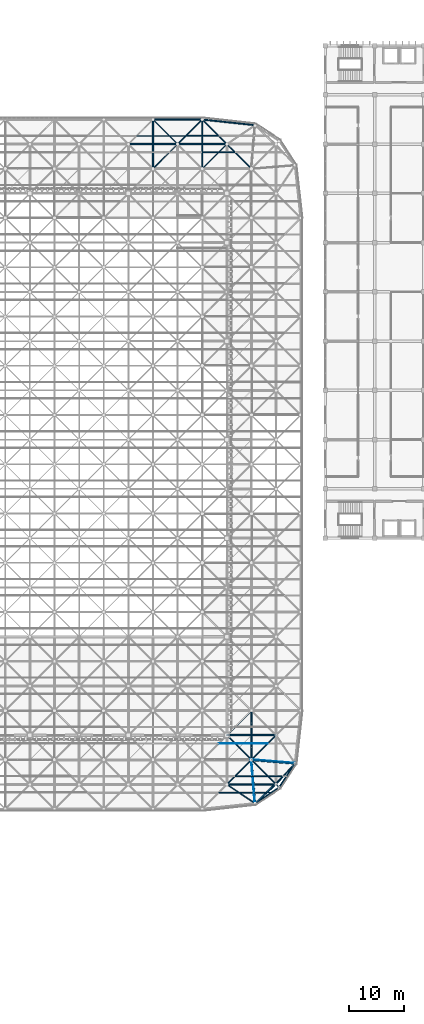
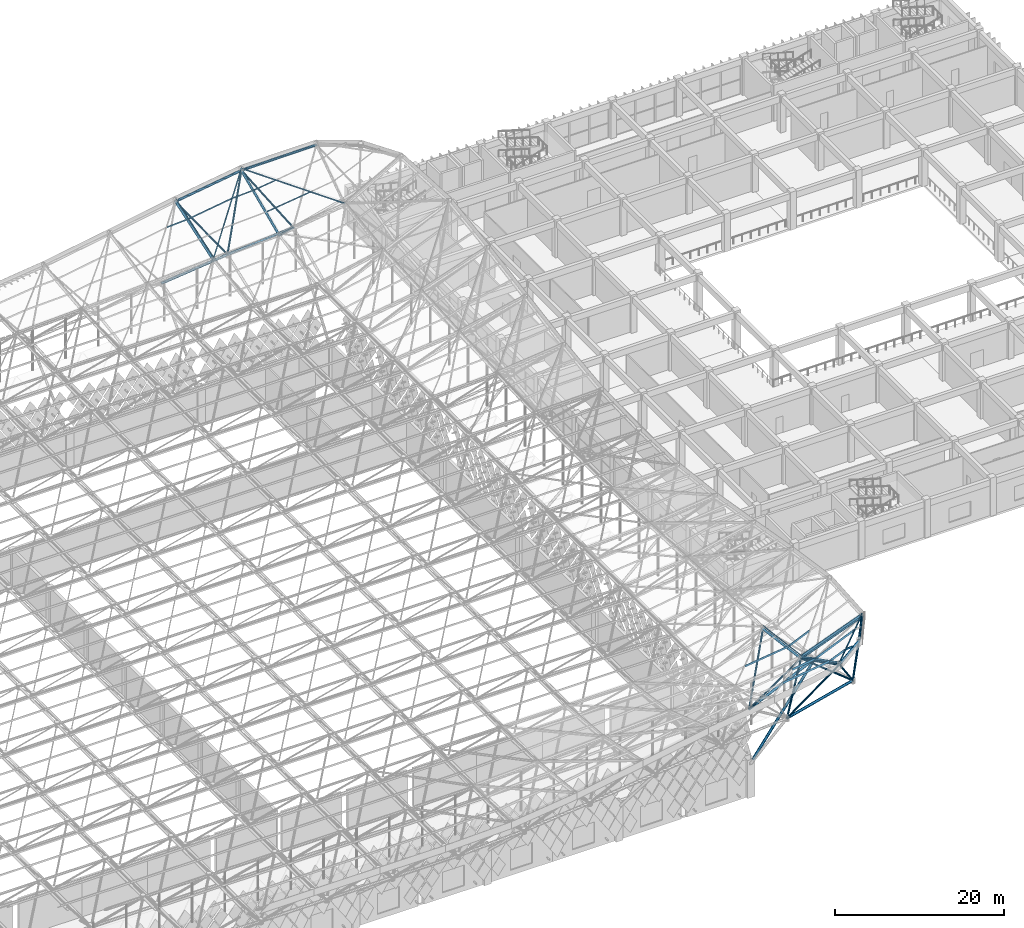
# One storey, part 195 of 437: 47 members.
"""IFC4 building model written with IfcOpenShell, lengths in metres."""

import ifcopenshell
import ifcopenshell.guid

model = None  # the IFC model being written
_history = None  # IfcOwnerHistory: only IFC2X3 demands one
_inside = {}  # id of a spatial element -> (the spatial element, [elements in it])
_under = {}  # id of a project, library or spatial element -> (it, [spatial elements below it])
_declared = {}  # id of a project -> (the project, [libraries it declares])
_typed = {}  # id of a type object -> (the type object, [elements of that type])
_made_of = {}  # id of a material, layer set ... -> (it, [elements and type objects made of it])


def new_model(schema):
    """Start an empty IFC model of exactly this schema.

    Asked for "IFC4X3", IfcOpenShell would pick the latest addendum, in which some entities
    have other attributes; the version numbers below select the first issue.
    IFC2X3 requires an IfcOwnerHistory on every rooted entity: one is made here for all.
    """
    global model, _history
    if schema == "IFC4X3":
        model = ifcopenshell.file(schema_version=(4, 3, 0, 0))
    else:
        model = ifcopenshell.file(schema=schema)
    _inside.clear()
    _under.clear()
    _declared.clear()
    _typed.clear()
    _made_of.clear()
    _history = None
    if model.schema == "IFC2X3":
        org = make("IfcOrganization", Name="unknown")
        user = make(
            "IfcPersonAndOrganization",
            ThePerson=make("IfcPerson", FamilyName="unknown"),
            TheOrganization=org,
        )
        app = make(
            "IfcApplication",
            ApplicationDeveloper=org,
            Version="unknown",
            ApplicationFullName="unknown",
            ApplicationIdentifier="unknown",
        )
        _history = make(
            "IfcOwnerHistory",
            OwningUser=user,
            OwningApplication=app,
            ChangeAction="ADDED",
            CreationDate=0,
        )
    return model


def make(cls, **values):
    """One entity of the class cls with the attributes given. An attribute that is None is left unset."""
    return model.create_entity(
        cls, **{name: value for name, value in values.items() if value is not None}
    )


def rooted(cls, **values):
    """An entity with a GlobalId (a new one), such as an element, a storey or a relation."""
    return make(cls, GlobalId=ifcopenshell.guid.new(), OwnerHistory=_history, **values)


def si_unit(unit_type, name, prefix=None):
    """IfcSIUnit, for example si_unit("LENGTHUNIT", "METRE", prefix="MILLI")."""
    return make("IfcSIUnit", UnitType=unit_type, Prefix=prefix, Name=name)


def assignment(units):
    """IfcUnitAssignment: the units of a project."""
    return None if units is None else make("IfcUnitAssignment", Units=units)


def point(xyz):
    """IfcCartesianPoint."""
    return None if xyz is None else make("IfcCartesianPoint", Coordinates=xyz)


def direction(xyz):
    """IfcDirection."""
    return None if xyz is None else make("IfcDirection", DirectionRatios=xyz)


def frame(location, z_axis=None, x_axis=None):
    """IfcAxis2Placement3D, a coordinate frame: its origin and axes. An axis left out is left unset."""
    return make(
        "IfcAxis2Placement3D",
        Location=point(location),
        Axis=direction(z_axis),
        RefDirection=direction(x_axis),
    )


def frame_2d(location, x_axis=None):
    """IfcAxis2Placement2D, a coordinate frame in the plane: its origin and x axis."""
    return make(
        "IfcAxis2Placement2D", Location=point(location), RefDirection=direction(x_axis)
    )


def origin():
    """The frame at (0, 0, 0) with its axes left unset."""
    return frame((0.0, 0.0, 0.0))


def origin_2d():
    """The frame at (0, 0) in the plane with its x axis left unset."""
    return frame_2d((0.0, 0.0))


def place(relative_to, where):
    """IfcLocalPlacement: puts the frame where relative to a parent placement (None: the world)."""
    return make(
        "IfcLocalPlacement", PlacementRelTo=relative_to, RelativePlacement=where
    )


def context(
    kind, dimensions, precision=None, world=None, true_north=None, identifier=None
):
    """IfcGeometricRepresentationContext, for example the 3D "Model" context."""
    return make(
        "IfcGeometricRepresentationContext",
        ContextIdentifier=identifier,
        ContextType=kind,
        CoordinateSpaceDimension=dimensions,
        Precision=precision,
        WorldCoordinateSystem=world,
        TrueNorth=true_north,
    )


def subcontext(parent, identifier, kind, view, scale=None):
    """IfcGeometricRepresentationSubContext, for example "Body" below "Model"."""
    return make(
        "IfcGeometricRepresentationSubContext",
        ContextIdentifier=identifier,
        ContextType=kind,
        ParentContext=parent,
        TargetScale=scale,
        TargetView=view,
    )


def project(units=None, contexts=None):
    """IfcProject with its units and contexts."""
    return rooted(
        "IfcProject",
        Name="project",
        RepresentationContexts=contexts,
        UnitsInContext=assignment(units),
    )


def spatial(cls, under=None, at=None, **own):
    """A site, building, storey or space (cls), placed at a placement, below another one or the project."""
    s = rooted(cls, ObjectPlacement=at, **own)
    if under is not None:
        _under.setdefault(under.id(), (under, []))[1].append(s)
    return s


def polyline(points):
    """IfcPolyline through the points."""
    return make("IfcPolyline", Points=[point(p) for p in points])


def profile(cls, at=None, kind="AREA", **sizes):
    """A parametric profile (cls). Its sizes go by their IFC names, for example OverallWidth=200.0."""
    return make(cls, ProfileType=kind, Position=at, **sizes)


def hollow_circle(**sizes):
    """IfcCircleHollowProfileDef."""
    return profile("IfcCircleHollowProfileDef", **sizes)


def outline(outer, holes=None, kind="AREA"):
    """IfcArbitraryClosedProfileDef: a profile drawn as a closed curve; with holes, ...WithVoids."""
    if holes is None:
        return make("IfcArbitraryClosedProfileDef", ProfileType=kind, OuterCurve=outer)
    return make(
        "IfcArbitraryProfileDefWithVoids",
        ProfileType=kind,
        OuterCurve=outer,
        InnerCurves=holes,
    )


def extrude(swept, where, along, depth):
    """IfcExtrudedAreaSolid: the profile swept, set in the frame where, extruded along a direction by depth."""
    return make(
        "IfcExtrudedAreaSolid",
        SweptArea=swept,
        Position=where,
        ExtrudedDirection=direction(along),
        Depth=depth,
    )


def shape(context_of_items, identifier, shape_type, items):
    """IfcShapeRepresentation: the items that make up one representation, for example the "Body"."""
    return make(
        "IfcShapeRepresentation",
        ContextOfItems=context_of_items,
        RepresentationIdentifier=identifier,
        RepresentationType=shape_type,
        Items=items,
    )


def material(Name=None, Category=None):
    """IfcMaterial."""
    return make("IfcMaterial", Name=Name, Category=Category)


def material_profile(
    of_material, cross_section, Name=None, Category=None, Priority=None
):
    """IfcMaterialProfile: a cross section and its material."""
    return make(
        "IfcMaterialProfile",
        Name=Name,
        Material=of_material,
        Profile=cross_section,
        Priority=Priority,
        Category=Category,
    )


def profile_set(profiles, Name=None, composite=None):
    """IfcMaterialProfileSet."""
    return make(
        "IfcMaterialProfileSet",
        Name=Name,
        MaterialProfiles=profiles,
        CompositeProfile=composite,
    )


def made_of(thing, what):
    """Note that an element or type object is made of a material, layer set ...; save() writes the relation."""
    if what is not None:
        _made_of.setdefault(what.id(), (what, []))[1].append(thing)
    return thing


def type_object(cls, material=None, **own):
    """A type object (cls), such as IfcWallType, which elements share."""
    return made_of(rooted(cls, **own), material)


def element(
    cls,
    number,
    at=None,
    inside=None,
    cuts=None,
    type_object=None,
    material=None,
    context=None,
    identifier="Body",
    shape_type=None,
    held_by="IfcProductDefinitionShape",
    body=None,
    shapes=None,
    **own,
):
    """One element of the class cls, such as IfcWall. Its Tag is "e" and its number.

    at: its placement. inside: the storey or other place that contains it. cuts: it is an
    opening in that element (IfcRelVoidsElement). A single representation is given by context,
    identifier, shape_type and body (its items); several are given by shapes. held_by: the class
    of the entity that holds the representations. save() writes the other relations.
    """
    e = rooted(cls, Tag="e%d" % number, ObjectPlacement=at, **own)
    if body is not None:
        shapes = [shape(context, identifier, shape_type, body)]
    if shapes is not None:
        e.Representation = make(held_by, Representations=shapes)
    if inside is not None:
        _inside.setdefault(inside.id(), (inside, []))[1].append(e)
    if cuts is not None:
        rooted(
            "IfcRelVoidsElement", RelatingBuildingElement=cuts, RelatedOpeningElement=e
        )
    if type_object is not None:
        _typed.setdefault(type_object.id(), (type_object, []))[1].append(e)
    return made_of(e, material)


def aggregate(whole, parts):
    """IfcRelAggregates: a whole, such as a stair, and the parts it consists of."""
    return rooted("IfcRelAggregates", RelatingObject=whole, RelatedObjects=parts)


def save(model, path):
    """Write the relations noted so far, then the file.

    IfcRelAggregates (storeys below a building ...), IfcRelContainedInSpatialStructure (elements
    in a storey), IfcRelDefinesByType, IfcRelAssociatesMaterial and IfcRelDeclares: one each for
    every whole, place, type object, material and project.
    """
    for whole, parts in _under.values():
        aggregate(whole, parts)
    for where, things in _inside.values():
        rooted(
            "IfcRelContainedInSpatialStructure",
            RelatedElements=things,
            RelatingStructure=where,
        )
    for kind, things in _typed.values():
        rooted("IfcRelDefinesByType", RelatedObjects=things, RelatingType=kind)
    for what, things in _made_of.values():
        rooted("IfcRelAssociatesMaterial", RelatedObjects=things, RelatingMaterial=what)
    for by, libraries in _declared.values():
        rooted("IfcRelDeclares", RelatingContext=by, RelatedDefinitions=libraries)
    model.write(path)


model = new_model("IFC4")

# Units and contexts
model_context = context("Model", 3, precision=1e-05, world=origin(), true_north=direction((0.0, 1.0)))
body_context = subcontext(model_context, "Body", "Model", "MODEL_VIEW")
ifc_project = project(units=[si_unit("LENGTHUNIT", "METRE"), si_unit("AREAUNIT", "SQUARE_METRE"), si_unit("VOLUMEUNIT", "CUBIC_METRE"), si_unit("PLANEANGLEUNIT", "RADIAN"), si_unit("MASSUNIT", "GRAM", prefix="KILO")], contexts=[model_context])

# Site, building, storey
site_placement = place(None, origin())
site = spatial("IfcSite", under=ifc_project, at=site_placement, CompositionType="ELEMENT")
building_placement = place(site_placement, origin())
building = spatial("IfcBuilding", under=site, at=building_placement, Name="Opaline Strait Convention Centre", CompositionType="ELEMENT")
storey_placement = place(building_placement, frame((0.0, 0.0, 11.5)))
storey = spatial("IfcBuildingStorey", under=building, at=storey_placement, Name="L02", CompositionType="ELEMENT", Elevation=11.5)

# Members
ifc_material = material(Name="Steel Q355B", Category="steel")
ifc_material_profile_1 = material_profile(ifc_material, hollow_circle(Radius=0.175537109375, WallThickness=0.01611328125, at=origin_2d()), Name="CHS 351x16")
ifc_profile_set_1 = profile_set([ifc_material_profile_1], Name="Steel Q355B")
member_type_1 = type_object("IfcMemberType", Name="Raking prop CHS 351x16", PredefinedType="BRACE", material=ifc_profile_set_1)
member_1_placement = place(storey_placement, frame((261.51611328125, 54.0, 5.02197265625), z_axis=(0.58919697761, 0.0, 0.807989431599), x_axis=(0.0, 1.0, 0.0)))
element("IfcMember", 1, at=member_1_placement, inside=storey, type_object=member_type_1, Name="Raking prop 261/54 E", PredefinedType="BRACE", context=body_context, shape_type="SweptSolid", body=[
    extrude(hollow_circle(Radius=0.175537109375, WallThickness=0.01611328125, at=origin_2d()), origin(), (0.0, 0.0, 1.0), 14.44921875),
])
ifc_material_profile_2 = material_profile(ifc_material, outline(polyline([(-0.03759765625, -0.125), (0.03759765625, -0.125), (0.03759765625, -0.10498046875), (0.034912109375, -0.10498046875), (0.034912109375, -0.12255859375), (-0.034912109375, -0.12255859375), (-0.034912109375, 0.12255859375), (0.034912109375, 0.12255859375), (0.034912109375, 0.10498046875), (0.03759765625, 0.10498046875), (0.03759765625, 0.125), (-0.03759765625, 0.125), (-0.03759765625, -0.125)])), Name="C 250x75x20x2.5")
ifc_profile_set_2 = profile_set([ifc_material_profile_2], Name="Steel Q355B")
member_type_2 = type_object("IfcMemberType", Name="Roof purlin C 250x75x20x2.5", PredefinedType="PURLIN", material=ifc_profile_set_2)
member_2_placement = place(storey_placement, frame((265.4560546875, 49.54638671875, 21.244140625), z_axis=(0.075517033196, -0.903662565532, 0.42153427542), x_axis=(0.988553259853, 0.123221130266, 0.087057483823)))
element("IfcMember", 2, at=member_2_placement, inside=storey, type_object=member_type_2, Name="EXB-RF-E-19-0a", PredefinedType="PURLIN", context=body_context, shape_type="SweptSolid", body=[
    extrude(outline(polyline([(-0.03759765625, -0.125), (0.03759765625, -0.125), (0.03759765625, -0.10498046875), (0.034912109375, -0.10498046875), (0.034912109375, -0.12255859375), (-0.034912109375, -0.12255859375), (-0.034912109375, 0.12255859375), (0.034912109375, 0.12255859375), (0.034912109375, 0.10498046875), (0.03759765625, 0.10498046875), (0.03759765625, 0.125), (-0.03759765625, 0.125), (-0.03759765625, -0.125)])), origin(), (0.0, 0.0, 1.0), 8.9326171875),
])
member_3_placement = place(storey_placement, frame((259.550048828125, 43.5, 23.13671875), z_axis=(0.989688643151, 0.0, 0.143235434226), x_axis=(0.059254277929, 0.91042030985, -0.409418844169)))
element("IfcMember", 3, at=member_3_placement, inside=storey, type_object=member_type_2, Name="EXB-RF-P-19-0-0a", PredefinedType="PURLIN", context=body_context, shape_type="SweptSolid", body=[
    extrude(outline(polyline([(-0.03759765625, -0.125), (0.03759765625, -0.125), (0.03759765625, -0.10498046875), (0.034912109375, -0.10498046875), (0.034912109375, -0.12255859375), (-0.034912109375, -0.12255859375), (-0.034912109375, 0.12255859375), (0.034912109375, 0.12255859375), (0.034912109375, 0.10498046875), (0.03759765625, 0.10498046875), (0.03759765625, 0.125), (-0.03759765625, 0.125), (-0.03759765625, -0.125)])), origin(), (0.0, 0.0, 1.0), 6.44287109375),
])
member_4_placement = place(storey_placement, frame((262.550048828125, 46.5, 22.207763671875), z_axis=(0.989689677685, 0.0, 0.143228285907), x_axis=(0.059251320781, 0.91042030985, -0.409419272139)))
element("IfcMember", 4, at=member_4_placement, inside=storey, type_object=member_type_2, Name="EXB-RF-P-19-0-1a", PredefinedType="PURLIN", context=body_context, shape_type="SweptSolid", body=[
    extrude(outline(polyline([(-0.03759765625, -0.125), (0.03759765625, -0.125), (0.03759765625, -0.10498046875), (0.034912109375, -0.10498046875), (0.034912109375, -0.12255859375), (-0.034912109375, -0.12255859375), (-0.034912109375, 0.12255859375), (0.034912109375, 0.12255859375), (0.034912109375, 0.10498046875), (0.03759765625, 0.10498046875), (0.03759765625, 0.125), (-0.03759765625, 0.125), (-0.03759765625, -0.125)])), origin(), (0.0, 0.0, 1.0), 3.158447265625),
])
member_5_placement = place(storey_placement, frame((266.166259765625, 41.527587890625, 24.986328125), z_axis=(0.707106781187, 0.707106781187, 0.0), x_axis=(-0.699649356135, 0.699649356135, -0.144850118812)))
element("IfcMember", 5, at=member_5_placement, inside=storey, type_object=member_type_2, Name="EXB-RF-F-20-0", PredefinedType="PURLIN", context=body_context, shape_type="SweptSolid", body=[
    extrude(outline(polyline([(-0.03759765625, -0.125), (0.03759765625, -0.125), (0.03759765625, -0.10498046875), (0.034912109375, -0.10498046875), (0.034912109375, -0.12255859375), (-0.034912109375, -0.12255859375), (-0.034912109375, 0.12255859375), (0.034912109375, 0.12255859375), (0.034912109375, 0.10498046875), (0.03759765625, 0.10498046875), (0.03759765625, 0.125), (-0.03759765625, 0.125), (-0.03759765625, -0.125)])), origin(), (0.0, 0.0, 1.0), 10.33251953125),
])
member_6_placement = place(storey_placement, frame((268.188720703125, 43.5, 24.991455078125), z_axis=(0.994687182031, 0.0, 0.102943722017), x_axis=(0.010599718065, 0.994684861285, -0.102419103235)))
element("IfcMember", 6, at=member_6_placement, inside=storey, type_object=member_type_2, Name="EXB-RF-P-20-0-0a", PredefinedType="PURLIN", context=body_context, shape_type="SweptSolid", body=[
    extrude(outline(polyline([(-0.03759765625, -0.125), (0.03759765625, -0.125), (0.03759765625, -0.10498046875), (0.034912109375, -0.10498046875), (0.034912109375, -0.12255859375), (-0.034912109375, -0.12255859375), (-0.034912109375, 0.12255859375), (0.034912109375, 0.12255859375), (0.034912109375, 0.10498046875), (0.03759765625, 0.10498046875), (0.03759765625, 0.125), (-0.03759765625, 0.125), (-0.03759765625, -0.125)])), origin(), (0.0, 0.0, 1.0), 0.934326171875),
])
member_7_placement = place(storey_placement, frame((265.443603515625, 49.424072265625, 21.2900390625), z_axis=(0.903652154116, -0.075516163138, 0.421556749995), x_axis=(0.21951530941, 0.926866293842, -0.304519132854)))
element("IfcMember", 7, at=member_7_placement, inside=storey, type_object=member_type_2, Name="EXB-RF-E-20-0b", PredefinedType="PURLIN", context=body_context, shape_type="SweptSolid", body=[
    extrude(outline(polyline([(-0.03759765625, -0.125), (0.03759765625, -0.125), (0.03759765625, -0.10498046875), (0.034912109375, -0.10498046875), (0.034912109375, -0.12255859375), (-0.034912109375, -0.12255859375), (-0.034912109375, 0.12255859375), (0.034912109375, 0.12255859375), (0.034912109375, 0.10498046875), (0.03759765625, 0.10498046875), (0.03759765625, 0.125), (-0.03759765625, 0.125), (-0.03759765625, -0.125)])), origin(), (0.0, 0.0, 1.0), 8.9326171875),
])
member_8_placement = place(storey_placement, frame((266.00146484375, 43.5, 24.079345703125), z_axis=(0.918476864134, 0.0, 0.395474714806), x_axis=(0.156378161871, 0.918500910826, -0.363183076837)))
element("IfcMember", 8, at=member_8_placement, inside=storey, type_object=member_type_2, Name="EXB-RF-P-20-0-0b", PredefinedType="PURLIN", context=body_context, shape_type="SweptSolid", body=[
    extrude(outline(polyline([(-0.03759765625, -0.125), (0.03759765625, -0.125), (0.03759765625, -0.10498046875), (0.034912109375, -0.10498046875), (0.034912109375, -0.12255859375), (-0.034912109375, -0.12255859375), (-0.034912109375, 0.12255859375), (0.034912109375, 0.12255859375), (0.034912109375, 0.10498046875), (0.03759765625, 0.10498046875), (0.03759765625, 0.125), (-0.03759765625, 0.125), (-0.03759765625, -0.125)])), origin(), (0.0, 0.0, 1.0), 2.2724609375),
])
member_9_placement = place(storey_placement, frame((265.750732421875, 46.5, 22.679931640625), z_axis=(0.918494082371, 0.0, 0.395434723626), x_axis=(0.156362348604, 0.918500910826, -0.363189885253)))
element("IfcMember", 9, at=member_9_placement, inside=storey, type_object=member_type_2, Name="EXB-RF-P-20-0-1b", PredefinedType="PURLIN", context=body_context, shape_type="SweptSolid", body=[
    extrude(outline(polyline([(-0.03759765625, -0.125), (0.03759765625, -0.125), (0.03759765625, -0.10498046875), (0.034912109375, -0.10498046875), (0.034912109375, -0.12255859375), (-0.034912109375, -0.12255859375), (-0.034912109375, 0.12255859375), (0.034912109375, 0.12255859375), (0.034912109375, 0.10498046875), (0.03759765625, 0.10498046875), (0.03759765625, 0.125), (-0.03759765625, 0.125), (-0.03759765625, -0.125)])), origin(), (0.0, 0.0, 1.0), 5.8115234375),
])
member_10_placement = place(storey_placement, frame((259.550048828125, 52.5, 20.102783203125), z_axis=(0.991635995518, 0.0, 0.129066077624), x_axis=(0.016661787593, 0.991632228384, -0.128015266529)))
element("IfcMember", 10, at=member_10_placement, inside=storey, type_object=member_type_2, Name="EXB-RF-P-19-1-0a", PredefinedType="PURLIN", context=body_context, shape_type="SweptSolid", body=[
    extrude(outline(polyline([(-0.03759765625, -0.125), (0.03759765625, -0.125), (0.03759765625, -0.10498046875), (0.034912109375, -0.10498046875), (0.034912109375, -0.12255859375), (-0.034912109375, -0.12255859375), (-0.034912109375, 0.12255859375), (0.034912109375, 0.12255859375), (0.034912109375, 0.10498046875), (0.03759765625, 0.10498046875), (0.03759765625, 0.125), (-0.03759765625, 0.125), (-0.03759765625, -0.125)])), origin(), (0.0, 0.0, 1.0), 6.000244140625),
])
member_11_placement = place(storey_placement, frame((265.45361328125, 49.5439453125, 21.251953125), z_axis=(0.903662565532, -0.075517033196, 0.42153427542), x_axis=(0.123221130266, 0.988553259853, -0.087057483823)))
element("IfcMember", 11, at=member_11_placement, inside=storey, type_object=member_type_2, Name="EXB-RF-E-20-1a", PredefinedType="PURLIN", context=body_context, shape_type="SweptSolid", body=[
    extrude(outline(polyline([(-0.03759765625, -0.125), (0.03759765625, -0.125), (0.03759765625, -0.10498046875), (0.034912109375, -0.10498046875), (0.034912109375, -0.12255859375), (-0.034912109375, -0.12255859375), (-0.034912109375, 0.12255859375), (0.034912109375, 0.12255859375), (0.034912109375, 0.10498046875), (0.03759765625, 0.10498046875), (0.03759765625, 0.125), (-0.03759765625, 0.125), (-0.03759765625, -0.125)])), origin(), (0.0, 0.0, 1.0), 8.9326171875),
])
member_12_placement = place(storey_placement, frame((265.587890625, 58.550048828125, 20.138916015625), z_axis=(0.0, -0.991630499032, 0.129108301009), x_axis=(0.916598046716, 0.051618787349, 0.39646377079)))
element("IfcMember", 12, at=member_12_placement, inside=storey, type_object=member_type_2, Name="EXB-RF-E-20-1b", PredefinedType="PURLIN", context=body_context, shape_type="SweptSolid", body=[
    extrude(outline(polyline([(-0.03759765625, -0.125), (0.03759765625, -0.125), (0.03759765625, -0.10498046875), (0.034912109375, -0.10498046875), (0.034912109375, -0.12255859375), (-0.034912109375, -0.12255859375), (-0.034912109375, 0.12255859375), (0.034912109375, 0.12255859375), (0.034912109375, 0.10498046875), (0.03759765625, 0.10498046875), (0.03759765625, 0.125), (-0.03759765625, 0.125), (-0.03759765625, -0.125)])), origin(), (0.0, 0.0, 1.0), 9.177001953125),
])
member_13_placement = place(storey_placement, frame((265.62255859375, 52.5, 20.94140625), z_axis=(0.915362810246, 0.0, 0.402630010827), x_axis=(0.051977528429, 0.991632228384, -0.118168778316)))
element("IfcMember", 13, at=member_13_placement, inside=storey, type_object=member_type_2, Name="EXB-RF-P-20-1-0b", PredefinedType="PURLIN", context=body_context, shape_type="SweptSolid", body=[
    extrude(outline(polyline([(-0.03759765625, -0.125), (0.03759765625, -0.125), (0.03759765625, -0.10498046875), (0.034912109375, -0.10498046875), (0.034912109375, -0.12255859375), (-0.034912109375, -0.12255859375), (-0.034912109375, 0.12255859375), (0.034912109375, 0.12255859375), (0.034912109375, 0.10498046875), (0.03759765625, 0.10498046875), (0.03759765625, 0.125), (-0.03759765625, 0.125), (-0.03759765625, -0.125)])), origin(), (0.0, 0.0, 1.0), 3.0888671875),
])
member_14_placement = place(storey_placement, frame((244.550048828125, 163.5, 21.52685546875), z_axis=(0.998387563836, 0.0, 0.05676506301), x_axis=(-0.018222418982, 0.94707421578, 0.320497072141)))
element("IfcMember", 14, at=member_14_placement, inside=storey, type_object=member_type_2, Name="EXB-RF-P-17-13-1a", PredefinedType="PURLIN", context=body_context, shape_type="SweptSolid", body=[
    extrude(outline(polyline([(-0.03759765625, -0.125), (0.03759765625, -0.125), (0.03759765625, -0.10498046875), (0.034912109375, -0.10498046875), (0.034912109375, -0.12255859375), (-0.034912109375, -0.12255859375), (-0.034912109375, 0.12255859375), (0.034912109375, 0.12255859375), (0.034912109375, 0.10498046875), (0.03759765625, 0.10498046875), (0.03759765625, 0.125), (-0.03759765625, 0.125), (-0.03759765625, -0.125)])), origin(), (0.0, 0.0, 1.0), 2.954833984375),
])
member_15_placement = place(storey_placement, frame((247.5, 157.5, 19.657958984375), z_axis=(0.668377219013, 0.668377219013, 0.326410456648), x_axis=(-0.730508511639, 0.672490667051, 0.118800745592)))
element("IfcMember", 15, at=member_15_placement, inside=storey, type_object=member_type_2, Name="EXB-RF-F-18-13", PredefinedType="PURLIN", context=body_context, shape_type="SweptSolid", body=[
    extrude(outline(polyline([(-0.03759765625, -0.125), (0.03759765625, -0.125), (0.03759765625, -0.10498046875), (0.034912109375, -0.10498046875), (0.034912109375, -0.12255859375), (-0.034912109375, -0.12255859375), (-0.034912109375, 0.12255859375), (0.034912109375, 0.12255859375), (0.034912109375, 0.10498046875), (0.03759765625, 0.10498046875), (0.03759765625, 0.125), (-0.03759765625, 0.125), (-0.03759765625, -0.125)])), origin(), (0.0, 0.0, 1.0), 13.46533203125),
])
member_16_placement = place(storey_placement, frame((253.550048828125, 163.5, 22.5947265625), z_axis=(0.998826047838, 0.0, 0.048440955395), x_axis=(-0.019504249484, 0.915358568875, 0.402166973581)))
element("IfcMember", 16, at=member_16_placement, inside=storey, type_object=member_type_2, Name="EXB-RF-P-18-13-1a", PredefinedType="PURLIN", context=body_context, shape_type="SweptSolid", body=[
    extrude(outline(polyline([(-0.03759765625, -0.125), (0.03759765625, -0.125), (0.03759765625, -0.10498046875), (0.034912109375, -0.10498046875), (0.034912109375, -0.12255859375), (-0.034912109375, -0.12255859375), (-0.034912109375, 0.12255859375), (0.034912109375, 0.12255859375), (0.034912109375, 0.10498046875), (0.03759765625, 0.10498046875), (0.03759765625, 0.125), (-0.03759765625, 0.125), (-0.03759765625, -0.125)])), origin(), (0.0, 0.0, 1.0), 2.953369140625),
])
member_17_placement = place(storey_placement, frame((247.556884765625, 157.449951171875, 19.653564453125), z_axis=(0.0, 0.94707556838, 0.321010697294), x_axis=(-0.990136950451, 0.044974525914, -0.132688022709)))
element("IfcMember", 17, at=member_17_placement, inside=storey, type_object=member_type_2, Name="EXB-RF-E-18-13b", PredefinedType="PURLIN", context=body_context, shape_type="SweptSolid", body=[
    extrude(outline(polyline([(-0.03759765625, -0.125), (0.03759765625, -0.125), (0.03759765625, -0.10498046875), (0.034912109375, -0.10498046875), (0.034912109375, -0.12255859375), (-0.034912109375, -0.12255859375), (-0.034912109375, 0.12255859375), (0.034912109375, 0.12255859375), (0.034912109375, 0.10498046875), (0.03759765625, 0.10498046875), (0.03759765625, 0.125), (-0.03759765625, 0.125), (-0.03759765625, -0.125)])), origin(), (0.0, 0.0, 1.0), 9.608642578125),
])
member_18_placement = place(storey_placement, frame((247.59130859375, 163.5, 21.709228515625), z_axis=(0.989024150242, 0.0, 0.147753951686), x_axis=(-0.047431188677, 0.94707421578, 0.31749127885)))
element("IfcMember", 18, at=member_18_placement, inside=storey, type_object=member_type_2, Name="EXB-RF-P-18-13-1b", PredefinedType="PURLIN", context=body_context, shape_type="SweptSolid", body=[
    extrude(outline(polyline([(-0.03759765625, -0.125), (0.03759765625, -0.125), (0.03759765625, -0.10498046875), (0.034912109375, -0.10498046875), (0.034912109375, -0.12255859375), (-0.034912109375, -0.12255859375), (-0.034912109375, 0.12255859375), (0.034912109375, 0.12255859375), (0.034912109375, 0.10498046875), (0.03759765625, 0.10498046875), (0.03759765625, 0.125), (-0.03759765625, 0.125), (-0.03759765625, -0.125)])), origin(), (0.0, 0.0, 1.0), 5.923583984375),
])
member_19_placement = place(storey_placement, frame((265.5, 157.5, 21.27099609375), z_axis=(-0.690740022732, 0.690740022732, 0.213907554783), x_axis=(-0.713355387204, -0.602521591585, -0.357899180246)))
element("IfcMember", 19, at=member_19_placement, inside=storey, type_object=member_type_2, Name="EXB-RF-F-19-13", PredefinedType="PURLIN", context=body_context, shape_type="SweptSolid", body=[
    extrude(outline(polyline([(-0.03759765625, -0.125), (0.03759765625, -0.125), (0.03759765625, -0.10498046875), (0.034912109375, -0.10498046875), (0.034912109375, -0.12255859375), (-0.034912109375, -0.12255859375), (-0.034912109375, 0.12255859375), (0.034912109375, 0.12255859375), (0.034912109375, 0.10498046875), (0.03759765625, 0.10498046875), (0.03759765625, 0.125), (-0.03759765625, 0.125), (-0.03759765625, -0.125)])), origin(), (0.0, 0.0, 1.0), 13.029541015625),
])
member_20_placement = place(storey_placement, frame((256.5, 160.5, 21.4189453125), z_axis=(0.99163078707, 0.0, 0.129106088686), x_axis=(-0.051983230784, 0.915358568875, 0.39926987628)))
element("IfcMember", 20, at=member_20_placement, inside=storey, type_object=member_type_2, Name="EXB-RF-P-19-13-0b", PredefinedType="PURLIN", context=body_context, shape_type="SweptSolid", body=[
    extrude(outline(polyline([(-0.03759765625, -0.125), (0.03759765625, -0.125), (0.03759765625, -0.10498046875), (0.034912109375, -0.10498046875), (0.034912109375, -0.12255859375), (-0.034912109375, -0.12255859375), (-0.034912109375, 0.12255859375), (0.034912109375, 0.12255859375), (0.034912109375, 0.10498046875), (0.03759765625, 0.10498046875), (0.03759765625, 0.125), (-0.03759765625, 0.125), (-0.03759765625, -0.125)])), origin(), (0.0, 0.0, 1.0), 6.000244140625),
])
member_21_placement = place(storey_placement, frame((256.5, 163.5, 22.738525390625), z_axis=(0.991632414904, 0.0, 0.12909358509), x_axis=(-0.05197819634, 0.915358568875, 0.39927053171)))
element("IfcMember", 21, at=member_21_placement, inside=storey, type_object=member_type_2, Name="EXB-RF-P-19-13-1b", PredefinedType="PURLIN", context=body_context, shape_type="SweptSolid", body=[
    extrude(outline(polyline([(-0.03759765625, -0.125), (0.03759765625, -0.125), (0.03759765625, -0.10498046875), (0.034912109375, -0.10498046875), (0.034912109375, -0.12255859375), (-0.034912109375, -0.12255859375), (-0.034912109375, 0.12255859375), (0.034912109375, 0.12255859375), (0.034912109375, 0.10498046875), (0.03759765625, 0.10498046875), (0.03759765625, 0.125), (-0.03759765625, 0.125), (-0.03759765625, -0.125)])), origin(), (0.0, 0.0, 1.0), 2.974853515625),
])
ifc_material_profile_3 = material_profile(ifc_material, hollow_circle(Radius=0.175537109375, WallThickness=0.01611328125, at=origin_2d()), Name="CHS 351x16")
ifc_profile_set_3 = profile_set([ifc_material_profile_3], Name="Steel Q355B")
member_type_3 = type_object("IfcMemberType", Name="Space frame bottom chord CHS 351x16", PredefinedType="CHORD", material=ifc_profile_set_3)
member_22_placement = place(storey_placement, frame((260.95166015625, 45.0, 16.64404296875), z_axis=(0.968974979118, 0.0, 0.247158835253), x_axis=(0.0, 1.0, 0.0)))
element("IfcMember", 22, at=member_22_placement, inside=storey, type_object=member_type_3, Name="EXB-RF-BX-19-0", PredefinedType="CHORD", context=body_context, shape_type="SweptSolid", body=[
    extrude(hollow_circle(Radius=0.175537109375, WallThickness=0.01611328125, at=origin_2d()), origin(), (0.0, 0.0, 1.0), 9.387939453125),
])
member_23_placement = place(storey_placement, frame((260.95458984375, 54.0, 12.47900390625), z_axis=(0.907855885671, 0.0, 0.419282352183), x_axis=(0.0, 1.0, 0.0)))
element("IfcMember", 23, at=member_23_placement, inside=storey, type_object=member_type_3, Name="EXB-RF-BX-19-1", PredefinedType="CHORD", context=body_context, shape_type="SweptSolid", body=[
    extrude(hollow_circle(Radius=0.175537109375, WallThickness=0.01611328125, at=origin_2d()), origin(), (0.0, 0.0, 1.0), 10.013427734375),
])
member_24_placement = place(storey_placement, frame((242.9501953125, 162.0, 14.9052734375), z_axis=(0.993995425291, 0.0, 0.109421636348), x_axis=(0.0, 1.0, 0.0)))
element("IfcMember", 24, at=member_24_placement, inside=storey, type_object=member_type_3, Name="EXB-RF-BX-17-13", PredefinedType="CHORD", context=body_context, shape_type="SweptSolid", body=[
    extrude(hollow_circle(Radius=0.175537109375, WallThickness=0.01611328125, at=origin_2d()), origin(), (0.0, 0.0, 1.0), 9.154541015625),
])
member_25_placement = place(storey_placement, frame((251.9501953125, 162.0, 15.897216796875), z_axis=(0.996499137169, 0.0, 0.083603047916), x_axis=(0.0, 1.0, 0.0)))
element("IfcMember", 25, at=member_25_placement, inside=storey, type_object=member_type_3, Name="EXB-RF-BX-18-13", PredefinedType="CHORD", context=body_context, shape_type="SweptSolid", body=[
    extrude(hollow_circle(Radius=0.175537109375, WallThickness=0.01611328125, at=origin_2d()), origin(), (0.0, 0.0, 1.0), 9.131591796875),
])
ifc_material_profile_4 = material_profile(ifc_material, hollow_circle(Radius=0.16259765625, WallThickness=0.013916015625, at=origin_2d()), Name="CHS 325x14")
ifc_profile_set_4 = profile_set([ifc_material_profile_4], Name="Steel Q355B")
member_type_4 = type_object("IfcMemberType", Name="Space frame top chord CHS 325x14", PredefinedType="CHORD", material=ifc_profile_set_4)
member_26_placement = place(storey_placement, frame((266.124755859375, 41.499755859375, 24.698486328125), z_axis=(0.83110196842, 0.555386538883, 0.028553642769), x_axis=(-0.555613083664, 0.83144097882, 0.0)))
element("IfcMember", 26, at=member_26_placement, inside=storey, type_object=member_type_4, Name="EXB-RF-TX-20-0", PredefinedType="CHORD", context=body_context, shape_type="SweptSolid", body=[
    extrude(hollow_circle(Radius=0.16259765625, WallThickness=0.013916015625, at=origin_2d()), origin(), (0.0, 0.0, 1.0), 5.36962890625),
])
member_27_placement = place(storey_placement, frame((247.450439453125, 166.5, 22.416259765625), z_axis=(0.989023771129, 0.0, 0.147756489339), x_axis=(0.0, 1.0, 0.0)))
element("IfcMember", 27, at=member_27_placement, inside=storey, type_object=member_type_4, Name="EXB-RF-TX-18-14", PredefinedType="CHORD", context=body_context, shape_type="SweptSolid", body=[
    extrude(hollow_circle(Radius=0.16259765625, WallThickness=0.013916015625, at=origin_2d()), origin(), (0.0, 0.0, 1.0), 9.2001953125),
])
member_28_placement = place(storey_placement, frame((270.51806640625, 44.41259765625, 24.851806640625), z_axis=(0.555386538883, 0.83110196842, -0.028553642769), x_axis=(-0.83144097882, 0.555613083664, 0.0)))
element("IfcMember", 28, at=member_28_placement, inside=storey, type_object=member_type_4, Name="EXB-RF-TY-21-0", PredefinedType="CHORD", context=body_context, shape_type="SweptSolid", body=[
    extrude(hollow_circle(Radius=0.16259765625, WallThickness=0.013916015625, at=origin_2d()), origin(), (0.0, 0.0, 1.0), 5.36962890625),
])
ifc_material_profile_5 = material_profile(ifc_material, hollow_circle(Radius=0.16259765625, WallThickness=0.02001953125, at=origin_2d()), Name="CHS 325x20")
ifc_profile_set_5 = profile_set([ifc_material_profile_5], Name="Steel Q355B")
member_type_5 = type_object("IfcMemberType", Name="Space frame top chord CHS 325x20", PredefinedType="CHORD", material=ifc_profile_set_5)
member_29_placement = place(storey_placement, frame((265.454833984375, 49.503662109375, 20.9599609375), z_axis=(0.903666960961, -0.075494841644, 0.421528827664), x_axis=(0.083252748903, 0.996528464119, 0.0)))
element("IfcMember", 29, at=member_29_placement, inside=storey, type_object=member_type_5, Name="EXB-RF-TX-20-1", PredefinedType="CHORD", context=body_context, shape_type="SweptSolid", body=[
    extrude(hollow_circle(Radius=0.16259765625, WallThickness=0.02001953125, at=origin_2d()), origin(), (0.0, 0.0, 1.0), 8.92236328125),
])
member_30_placement = place(storey_placement, frame((256.450439453125, 166.50537109375, 23.763427734375), z_axis=(0.989856938619, -0.105249170228, 0.095424594498), x_axis=(0.105731659596, 0.994394698376, 0.0)))
element("IfcMember", 30, at=member_30_placement, inside=storey, type_object=member_type_5, Name="EXB-RF-TX-19-14", PredefinedType="CHORD", context=body_context, shape_type="SweptSolid", body=[
    extrude(hollow_circle(Radius=0.16259765625, WallThickness=0.02001953125, at=origin_2d()), origin(), (0.0, 0.0, 1.0), 9.865478515625),
])
member_31_placement = place(storey_placement, frame((247.5, 157.45263671875, 19.35693359375), z_axis=(0.0, 0.947072036929, 0.321021115921), x_axis=(-1.0, 0.0, 0.0)))
element("IfcMember", 31, at=member_31_placement, inside=storey, type_object=member_type_5, Name="EXB-RF-TY-18-13", PredefinedType="CHORD", context=body_context, shape_type="SweptSolid", body=[
    extrude(hollow_circle(Radius=0.16259765625, WallThickness=0.02001953125, at=origin_2d()), origin(), (0.0, 0.0, 1.0), 9.60302734375),
])
member_32_placement = place(storey_placement, frame((256.5, 157.454345703125, 19.789306640625), z_axis=(0.0, 0.915357797375, 0.402641407192), x_axis=(-1.0, 0.0, 0.0)))
element("IfcMember", 32, at=member_32_placement, inside=storey, type_object=member_type_5, Name="EXB-RF-TY-19-13", PredefinedType="CHORD", context=body_context, shape_type="SweptSolid", body=[
    extrude(hollow_circle(Radius=0.16259765625, WallThickness=0.02001953125, at=origin_2d()), origin(), (0.0, 0.0, 1.0), 9.931884765625),
])
member_33_placement = place(storey_placement, frame((266.169921875, 41.482421875, 24.720947265625), z_axis=(-0.075494841644, 0.903666960961, -0.421528827664), x_axis=(-0.996528464119, -0.083252748903, 0.0)))
element("IfcMember", 33, at=member_33_placement, inside=storey, type_object=member_type_5, Name="EXB-RF-TY-20-0", PredefinedType="CHORD", context=body_context, shape_type="SweptSolid", body=[
    extrude(hollow_circle(Radius=0.16259765625, WallThickness=0.02001953125, at=origin_2d()), origin(), (0.0, 0.0, 1.0), 8.92236328125),
])
member_34_placement = place(storey_placement, frame((265.5, 49.450439453125, 20.987548828125), z_axis=(0.0, 0.991632131326, -0.129095763381), x_axis=(-1.0, 0.0, 0.0)))
element("IfcMember", 34, at=member_34_placement, inside=storey, type_object=member_type_5, Name="EXB-RF-TY-20-1", PredefinedType="CHORD", context=body_context, shape_type="SweptSolid", body=[
    extrude(hollow_circle(Radius=0.16259765625, WallThickness=0.02001953125, at=origin_2d()), origin(), (0.0, 0.0, 1.0), 9.176025390625),
])
ifc_material_profile_6 = material_profile(ifc_material, hollow_circle(Radius=0.12255859375, WallThickness=0.011962890625, at=origin_2d()), Name="CHS 245x12")
ifc_profile_set_6 = profile_set([ifc_material_profile_6], Name="Steel Q355B")
member_type_6 = type_object("IfcMemberType", Name="Space frame web CHS 245x12", PredefinedType="BRACE", material=ifc_profile_set_6)
member_35_placement = place(storey_placement, frame((247.475341796875, 166.524658203125, 22.459228515625), z_axis=(0.493829497226, -0.493829497226, -0.715726802167), x_axis=(0.707106781187, 0.707106781187, 0.0)))
element("IfcMember", 35, at=member_35_placement, inside=storey, type_object=member_type_6, Name="EXB-RF-W-18-13-01", PredefinedType="BRACE", context=body_context, shape_type="SweptSolid", body=[
    extrude(hollow_circle(Radius=0.12255859375, WallThickness=0.011962890625, at=origin_2d()), origin(), (0.0, 0.0, 1.0), 9.21240234375),
])
member_36_placement = place(storey_placement, frame((256.522216796875, 166.522216796875, 23.80712890625), z_axis=(-0.444721060586, -0.444721060586, -0.777461482353), x_axis=(0.707106781187, -0.707106781187, 0.0)))
element("IfcMember", 36, at=member_36_placement, inside=storey, type_object=member_type_6, Name="EXB-RF-W-18-13-11", PredefinedType="BRACE", context=body_context, shape_type="SweptSolid", body=[
    extrude(hollow_circle(Radius=0.12255859375, WallThickness=0.011962890625, at=origin_2d()), origin(), (0.0, 0.0, 1.0), 10.218505859375),
])
member_37_placement = place(storey_placement, frame((266.191650390625, 41.510498046875, 24.739501953125), z_axis=(-0.507948056004, 0.341413165258, -0.790838683292), x_axis=(-0.557842176895, -0.829947049924, 0.0)))
element("IfcMember", 37, at=member_37_placement, inside=storey, type_object=member_type_6, Name="EXB-RF-W-19-0-10", PredefinedType="BRACE", context=body_context, shape_type="SweptSolid", body=[
    extrude(hollow_circle(Radius=0.12255859375, WallThickness=0.011962890625, at=origin_2d()), origin(), (0.0, 0.0, 1.0), 10.270751953125),
])
member_38_placement = place(storey_placement, frame((265.529296875, 49.529296875, 21.009033203125), z_axis=(-0.584861382304, -0.584861382304, -0.56202698065), x_axis=(0.707106781187, -0.707106781187, 0.0)))
element("IfcMember", 38, at=member_38_placement, inside=storey, type_object=member_type_6, Name="EXB-RF-W-19-0-11", PredefinedType="BRACE", context=body_context, shape_type="SweptSolid", body=[
    extrude(hollow_circle(Radius=0.12255859375, WallThickness=0.011962890625, at=origin_2d()), origin(), (0.0, 0.0, 1.0), 7.79443359375),
])
member_39_placement = place(storey_placement, frame((265.521240234375, 49.478759765625, 21.02099609375), z_axis=(-0.424401940737, 0.424401940737, -0.799853727501), x_axis=(-0.707106781187, -0.707106781187, 0.0)))
element("IfcMember", 39, at=member_39_placement, inside=storey, type_object=member_type_6, Name="EXB-RF-W-19-1-10", PredefinedType="BRACE", context=body_context, shape_type="SweptSolid", body=[
    extrude(hollow_circle(Radius=0.12255859375, WallThickness=0.011962890625, at=origin_2d()), origin(), (0.0, 0.0, 1.0), 10.703369140625),
])
member_40_placement = place(storey_placement, frame((265.523193359375, 58.523193359375, 19.84716796875), z_axis=(-0.464318393321, -0.464318393321, -0.754199482396), x_axis=(0.707106781187, -0.707106781187, 0.0)))
element("IfcMember", 40, at=member_40_placement, inside=storey, type_object=member_type_6, Name="EXB-RF-W-19-1-11", PredefinedType="BRACE", context=body_context, shape_type="SweptSolid", body=[
    extrude(hollow_circle(Radius=0.12255859375, WallThickness=0.011962890625, at=origin_2d()), origin(), (0.0, 0.0, 1.0), 9.79150390625),
])
member_41_placement = place(storey_placement, frame((256.46826171875, 157.46826171875, 19.83154296875), z_axis=(0.63361366965, 0.63361366965, -0.443922780747), x_axis=(-0.707106781187, 0.707106781187, 0.0)))
element("IfcMember", 41, at=member_41_placement, inside=storey, type_object=member_type_6, Name="EXB-RF-W-19-13-00", PredefinedType="BRACE", context=body_context, shape_type="SweptSolid", body=[
    extrude(hollow_circle(Radius=0.12255859375, WallThickness=0.011962890625, at=origin_2d()), origin(), (0.0, 0.0, 1.0), 7.202392578125),
])
member_42_placement = place(storey_placement, frame((256.476318359375, 166.523681640625, 23.805419921875), z_axis=(0.471540529524, -0.471540529524, -0.745183908866), x_axis=(0.707106781187, 0.707106781187, 0.0)))
element("IfcMember", 42, at=member_42_placement, inside=storey, type_object=member_type_6, Name="EXB-RF-W-19-13-01", PredefinedType="BRACE", context=body_context, shape_type="SweptSolid", body=[
    extrude(hollow_circle(Radius=0.12255859375, WallThickness=0.011962890625, at=origin_2d()), origin(), (0.0, 0.0, 1.0), 9.6435546875),
])
member_43_placement = place(storey_placement, frame((266.141357421875, 41.505126953125, 24.737060546875), z_axis=(0.495807143415, 0.449053467982, -0.743321101161), x_axis=(-0.671296337205, 0.741189063367, 0.0)))
element("IfcMember", 43, at=member_43_placement, inside=storey, type_object=member_type_6, Name="EXB-RF-W-20-0-00", PredefinedType="BRACE", context=body_context, shape_type="SweptSolid", body=[
    extrude(hollow_circle(Radius=0.12255859375, WallThickness=0.011962890625, at=origin_2d()), origin(), (0.0, 0.0, 1.0), 7.832763671875),
])
member_44_placement = place(storey_placement, frame((265.46630859375, 49.53369140625, 20.996337890625), z_axis=(0.673688980386, -0.673688980386, -0.303786628102), x_axis=(0.707106781187, 0.707106781187, 0.0)))
element("IfcMember", 44, at=member_44_placement, inside=storey, type_object=member_type_6, Name="EXB-RF-W-20-0-01", PredefinedType="BRACE", context=body_context, shape_type="SweptSolid", body=[
    extrude(hollow_circle(Radius=0.12255859375, WallThickness=0.011962890625, at=origin_2d()), origin(), (0.0, 0.0, 1.0), 6.779541015625),
])
member_45_placement = place(storey_placement, frame((270.550537109375, 44.449462890625, 24.89990234375), z_axis=(-0.091783840442, 0.091783840442, -0.991539940329), x_axis=(-0.707106781187, -0.707106781187, 0.0)))
element("IfcMember", 45, at=member_45_placement, inside=storey, type_object=member_type_6, Name="EXB-RF-W-20-0-10", PredefinedType="BRACE", context=body_context, shape_type="SweptSolid", body=[
    extrude(hollow_circle(Radius=0.12255859375, WallThickness=0.011962890625, at=origin_2d()), origin(), (0.0, 0.0, 1.0), 6.048828125),
])
member_46_placement = place(storey_placement, frame((273.494873046875, 48.858642578125, 24.737060546875), z_axis=(-0.449053467982, -0.495807143415, -0.743321101161), x_axis=(0.741189063367, -0.671296337205, 0.0)))
element("IfcMember", 46, at=member_46_placement, inside=storey, type_object=member_type_6, Name="EXB-RF-W-20-0-11", PredefinedType="BRACE", context=body_context, shape_type="SweptSolid", body=[
    extrude(hollow_circle(Radius=0.12255859375, WallThickness=0.011962890625, at=origin_2d()), origin(), (0.0, 0.0, 1.0), 7.832763671875),
])
member_47_placement = place(storey_placement, frame((265.470703125, 49.470703125, 21.009033203125), z_axis=(0.584861382304, 0.584861382304, -0.56202698065), x_axis=(-0.707106781187, 0.707106781187, 0.0)))
element("IfcMember", 47, at=member_47_placement, inside=storey, type_object=member_type_6, Name="EXB-RF-W-20-1-00", PredefinedType="BRACE", context=body_context, shape_type="SweptSolid", body=[
    extrude(hollow_circle(Radius=0.12255859375, WallThickness=0.011962890625, at=origin_2d()), origin(), (0.0, 0.0, 1.0), 7.79443359375),
])

save(model, "model.ifc")
